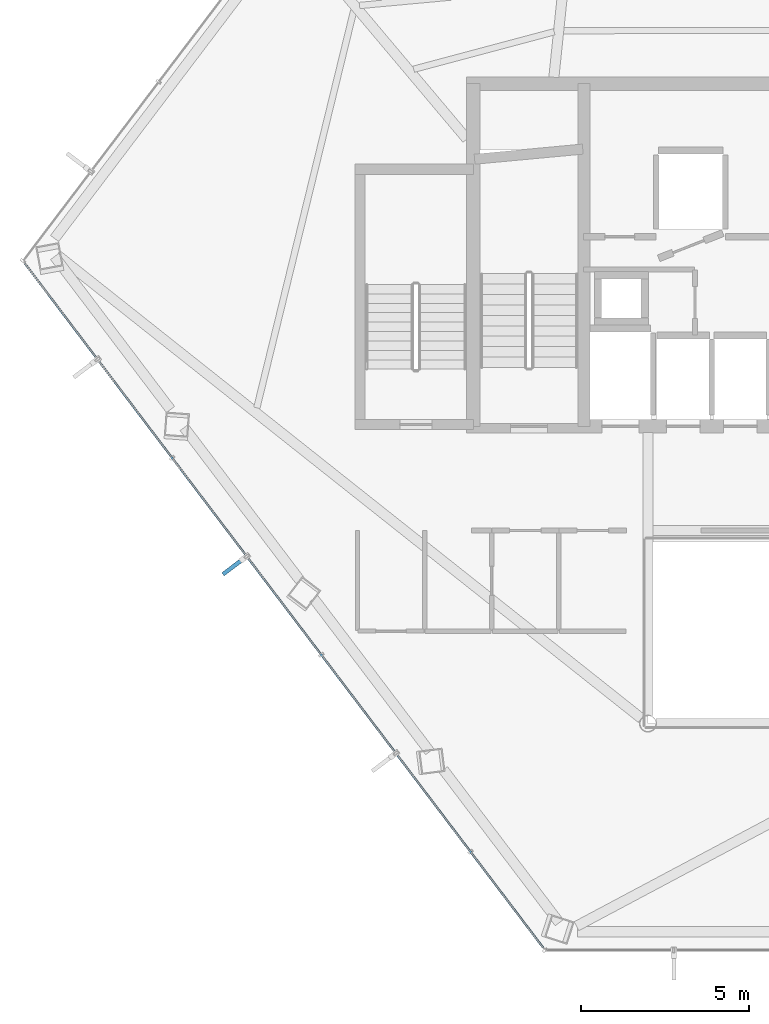
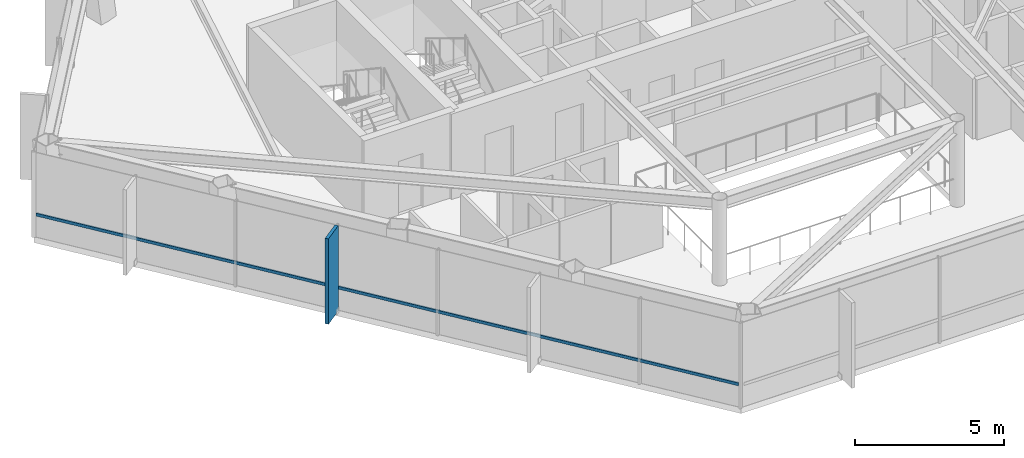
# One storey, part 3 of 27: 2 members, 1 element without a shape of its own.
"""IFC4 building model written with IfcOpenShell, lengths in metres."""

from ifc_helpers import new_model, si_unit, direction, frame, origin, origin_2d, place, context, subcontext, project, spatial, rectangle, hollow_rectangle, extrude, material, layer, layer_set, material_profile, profile_set, type_object, element, aggregate, save


model = new_model("IFC4")

# Units and contexts
model_context = context("Model", 3, precision=1e-05, world=origin(), true_north=direction((0.0, 1.0)))
body_context = subcontext(model_context, "Body", "Model", "MODEL_VIEW")
ifc_project = project(units=[si_unit("LENGTHUNIT", "METRE"), si_unit("AREAUNIT", "SQUARE_METRE"), si_unit("VOLUMEUNIT", "CUBIC_METRE"), si_unit("PLANEANGLEUNIT", "RADIAN"), si_unit("MASSUNIT", "GRAM", prefix="KILO")], contexts=[model_context])

# Site, building, storey
site_placement = place(None, origin())
site = spatial("IfcSite", under=ifc_project, at=site_placement, CompositionType="ELEMENT")
building_placement = place(site_placement, origin())
building = spatial("IfcBuilding", under=site, at=building_placement, Name="Zarrinselat Tower", CompositionType="ELEMENT")
storey_placement = place(building_placement, frame((0.0, 0.0, 172.0400390625)))
storey = spatial("IfcBuildingStorey", under=building, at=storey_placement, Name="L42", CompositionType="ELEMENT", Elevation=172.0400390625)

# Curtain wall, members
ifc_material_1 = material(Name="Extruded Aluminium Alloy EN AW-6063 T6", Category="aluminium")
ifc_layer = layer(ifc_material_1, 0.175048828125)
ifc_layer_set = layer_set([ifc_layer], Name="Extruded Aluminium Alloy EN AW-6063 T6")
curtain_wall_type = type_object("IfcCurtainWallType", Name="CWS-HTL", PredefinedType="NOTDEFINED", material=ifc_layer_set)
curtain_wall_placement = place(storey_placement, origin())
curtain_wall = element("IfcCurtainWall", 1, at=curtain_wall_placement, inside=storey, type_object=curtain_wall_type, Name="L42 Unitised Curtain Wall CW-L42-E03", PredefinedType="NOTDEFINED")
ifc_material_2 = material(Name="Extruded Aluminium Alloy EN AW-6063 T6", Category="aluminium")
ifc_material_profile_1 = material_profile(ifc_material_2, hollow_rectangle(XDim=0.06005859375, YDim=0.1201171875, WallThickness=0.00390625, at=origin_2d()), Name="RHS 120x60x4")
ifc_profile_set_1 = profile_set([ifc_material_profile_1], Name="Extruded Aluminium Alloy EN AW-6063 T6")
member_type_1 = type_object("IfcMemberType", Name="MEM-CW-TRN2", PredefinedType="USERDEFINED", material=ifc_profile_set_1)
member_1_placement = place(storey_placement, frame((15.248046875, 38.099365234375, 0.949951171875), z_axis=(0.603863940367, -0.797087411471, 0.0), x_axis=(0.797087411471, 0.603863940367, 0.0)))
member_1 = element("IfcMember", 2, at=member_1_placement, type_object=member_type_1, Name="CW-L42-E03 Transom 1", ObjectType="TRANSOM", PredefinedType="USERDEFINED", context=body_context, shape_type="SweptSolid", body=[
    extrude(hollow_rectangle(XDim=0.06005859375, YDim=0.1201171875, WallThickness=0.00390625, at=origin_2d()), origin(), (0.0, 0.0, 1.0), 25.560791015625),
])
ifc_material_3 = material(Name="Honed Cream Travertine Stone", Category="masonry")
ifc_material_profile_2 = material_profile(ifc_material_3, rectangle(XDim=0.1201171875, YDim=0.85009765625, at=origin_2d()), Name="FIN 850x120")
ifc_profile_set_2 = profile_set([ifc_material_profile_2], Name="Honed Cream Travertine Stone")
member_type_2 = type_object("IfcMemberType", Name="MEM-STONE-FIN", PredefinedType="USERDEFINED", material=ifc_profile_set_2)
member_2_placement = place(storey_placement, frame((21.48876953125, 29.10009765625, 0.0), z_axis=(0.0, 0.0, 1.0), x_axis=(-0.603857987184, 0.797091921496, 0.0)))
member_2 = element("IfcMember", 3, at=member_2_placement, type_object=member_type_2, Name="L42 Stone Shading Fin CW-L42-E03-03", ObjectType="FIN", PredefinedType="USERDEFINED", context=body_context, shape_type="SweptSolid", body=[
    extrude(rectangle(XDim=0.1201171875, YDim=0.85009765625, at=origin_2d()), origin(), (0.0, 0.0, 1.0), 3.5),
])
aggregate(curtain_wall, [member_2, member_1])

save(model, "model.ifc")
